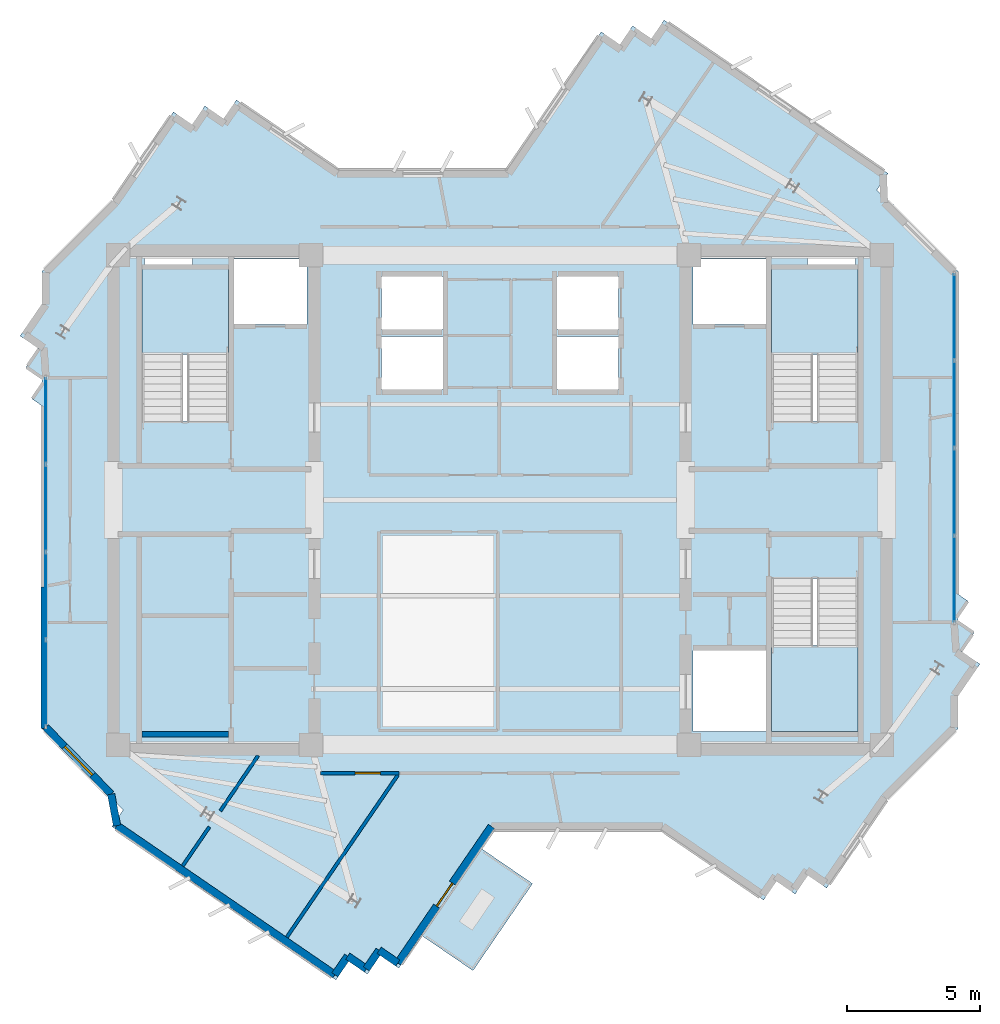
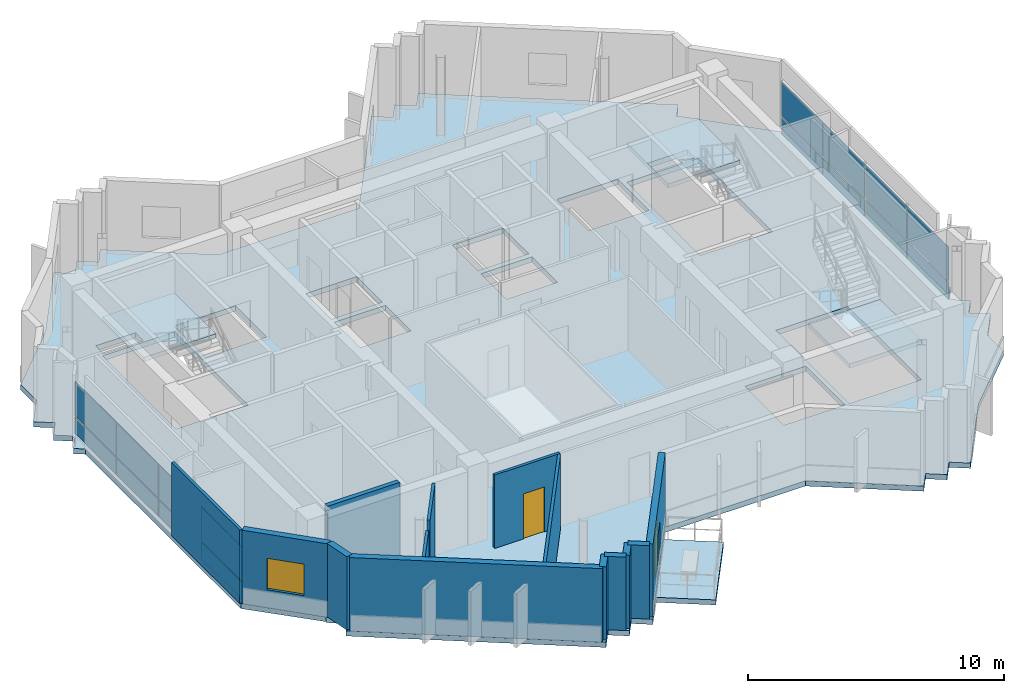
# One storey, part 4 of 11: 16 plates, 14 walls, 5 slabs, 2 doors, 1 window, 3 openings, 5 elements without a shape of their own.
"""IFC4 building model written with IfcOpenShell, lengths in metres."""

from ifc_helpers import new_model, si_unit, direction, frame, frame_2d, origin, origin_2d, place, context, subcontext, project, spatial, polyline, rectangle, outline, extrude, source, transform, mapped, material, layer, layer_set, type_object, element, fill, aggregate, save


model = new_model("IFC4")

# Units and contexts
model_context = context("Model", 3, precision=1e-05, world=origin(), true_north=direction((0.0, 1.0)))
body_context = subcontext(model_context, "Body", "Model", "MODEL_VIEW")
ifc_project = project(units=[si_unit("LENGTHUNIT", "METRE"), si_unit("AREAUNIT", "SQUARE_METRE"), si_unit("VOLUMEUNIT", "CUBIC_METRE"), si_unit("PLANEANGLEUNIT", "RADIAN"), si_unit("MASSUNIT", "GRAM", prefix="KILO")], contexts=[model_context])

# Site, building, storey
site_placement = place(None, origin())
site = spatial("IfcSite", under=ifc_project, at=site_placement, CompositionType="ELEMENT")
building_placement = place(site_placement, origin())
building = spatial("IfcBuilding", under=site, at=building_placement, Name="Zahravan Cultural Tower", CompositionType="ELEMENT")
storey_placement = place(building_placement, frame((0.0, 0.0, 334.800048828125)))
storey = spatial("IfcBuildingStorey", under=building, at=storey_placement, Name="L81", CompositionType="ELEMENT", Elevation=334.800048828125)

# Stair, slab
ifc_material_1 = material(Name="Concrete C45/55", Category="concrete")
stair_type = type_object("IfcStairType", Name="STR-DL-1550-375", PredefinedType="HALF_TURN_STAIR", material=ifc_material_1)
stair_1_placement = place(storey_placement, origin())
stair_1 = element("IfcStair", 1, at=stair_1_placement, inside=storey, type_object=stair_type, Name="L81 West Core North Exit Stair ST-W1", PredefinedType="HALF_TURN_STAIR")
ifc_layer_1 = layer(ifc_material_1, 0.199951171875)
ifc_layer_set_1 = layer_set([ifc_layer_1], Name="Concrete C45/55")
slab_type_1 = type_object("IfcSlabType", Name="SL-STAIR-LND200", PredefinedType="LANDING", material=ifc_layer_set_1)
slab_1_placement = place(storey_placement, frame((0.0, 0.0, 1.675048828125)))
slab_1 = element("IfcSlab", 2, at=slab_1_placement, type_object=slab_type_1, Name="ST-W1 landing 1", PredefinedType="LANDING", context=body_context, shape_type="SweptSolid", body=[
    extrude(outline(polyline([(25.800048828125, 32.469970703125), (25.800048828125, 35.699951171875), (22.550048828125, 35.699951171875), (22.550048828125, 32.469970703125), (25.800048828125, 32.469970703125)])), origin(), (0.0, 0.0, 1.0), 0.199951171875),
])
aggregate(stair_1, [slab_1])

stair_2_placement = place(storey_placement, origin())
stair_2 = element("IfcStair", 3, at=stair_2_placement, inside=storey, type_object=stair_type, Name="L81 East Core North Exit Stair ST-E1", PredefinedType="HALF_TURN_STAIR")
slab_2_placement = place(storey_placement, frame((0.0, 0.0, 1.675048828125)))
slab_2 = element("IfcSlab", 4, at=slab_2_placement, type_object=slab_type_1, Name="ST-E1 landing 1", PredefinedType="LANDING", context=body_context, shape_type="SweptSolid", body=[
    extrude(outline(polyline([(49.449951171875, 32.469970703125), (49.449951171875, 35.699951171875), (46.199951171875, 35.699951171875), (46.199951171875, 32.469970703125), (49.449951171875, 32.469970703125)])), origin(), (0.0, 0.0, 1.0), 0.199951171875),
])
aggregate(stair_2, [slab_2])

stair_3_placement = place(storey_placement, origin())
stair_3 = element("IfcStair", 5, at=stair_3_placement, inside=storey, type_object=stair_type, Name="L81 East Core South Exit Stair ST-E2", PredefinedType="HALF_TURN_STAIR")
slab_3_placement = place(storey_placement, frame((0.0, 0.0, 1.675048828125)))
slab_3 = element("IfcSlab", 6, at=slab_3_placement, type_object=slab_type_1, Name="ST-E2 landing 1", PredefinedType="LANDING", context=body_context, shape_type="SweptSolid", body=[
    extrude(outline(polyline([(46.199951171875, 21.530029296875), (46.199951171875, 18.300048828125), (49.449951171875, 18.300048828125), (49.449951171875, 21.530029296875), (46.199951171875, 21.530029296875)])), origin(), (0.0, 0.0, 1.0), 0.199951171875),
])
aggregate(stair_3, [slab_3])

# Slabs
ifc_material_2 = material(Name="Concrete C40/50", Category="concrete")
ifc_layer_2 = layer(ifc_material_2, 0.239990234375)
ifc_layer_set_2 = layer_set([ifc_layer_2], Name="Concrete C40/50")
slab_type_2 = type_object("IfcSlabType", Name="SL-TERR-240", PredefinedType="FLOOR", material=ifc_layer_set_2)
slab_4_placement = place(storey_placement, frame((0.0, 0.0, -0.239990234375)))
element("IfcSlab", 7, at=slab_4_placement, inside=storey, type_object=slab_type_2, Name="L81 Planted Sculpture Terrace SW", PredefinedType="FLOOR", context=body_context, shape_type="SweptSolid", body=[
    extrude(outline(polyline([(37.22216796875, 12.58935546875), (35.287109375, 13.9140625), (33.050048828125, 10.646728515625), (34.98486328125, 9.32177734375), (37.22216796875, 12.58935546875)])), origin(), (0.0, 0.0, 1.0), 0.239990234375),
])
ifc_layer_3 = layer(ifc_material_2, 0.25)
ifc_layer_set_3 = layer_set([ifc_layer_3], Name="Concrete C40/50")
slab_type_3 = type_object("IfcSlabType", Name="SL-TYP-250", PredefinedType="FLOOR", material=ifc_layer_set_3)
slab_5_placement = place(storey_placement, frame((0.0, 0.0, -0.25)))
element("IfcSlab", 8, at=slab_5_placement, inside=storey, type_object=slab_type_3, Name="L81 Structural Floor Slab", PredefinedType="FLOOR", context=body_context, shape_type="SweptSolid", body=[
    extrude(outline(polyline([(50.522216796875, 38.27783203125), (50.15478515625, 38.645263671875), (50.580810546875, 39.267822265625), (42.164794921875, 45.030517578125), (41.6845703125, 44.3291015625), (40.983154296875, 44.809326171875), (40.5029296875, 44.10791015625), (39.801513671875, 44.588134765625), (36.249267578125, 39.39990234375), (29.92626953125, 39.39990234375), (26.095458984375, 42.023193359375), (25.615234375, 41.32177734375), (24.913818359375, 41.802001953125), (24.43359375, 41.1005859375), (23.732177734375, 41.580810546875), (21.454833984375, 38.2548828125), (18.800048828125, 35.60009765625), (18.800048828125, 34.37744140625), (17.969482421875, 33.164794921875), (18.6708984375, 32.6845703125), (18.190673828125, 31.983154296875), (18.800048828125, 31.56591796875), (18.800048828125, 31.368408203125), (18.411865234375, 30.801513671875), (18.800048828125, 30.535888671875), (18.800048828125, 18.39990234375), (21.23388671875, 15.96630859375), (21.197998046875, 15.913818359375), (21.477783203125, 15.72216796875), (21.84521484375, 15.354736328125), (21.419189453125, 14.732177734375), (29.835205078125, 8.969482421875), (30.3154296875, 9.6708984375), (31.016845703125, 9.190673828125), (31.4970703125, 9.89208984375), (32.198486328125, 9.411865234375), (35.750732421875, 14.60009765625), (42.07373046875, 14.60009765625), (45.904541015625, 11.976806640625), (46.384765625, 12.67822265625), (47.086181640625, 12.197998046875), (47.56640625, 12.8994140625), (48.267822265625, 12.419189453125), (50.545166015625, 15.7451171875), (53.199951171875, 18.39990234375), (53.199951171875, 19.62255859375), (54.030517578125, 20.835205078125), (53.3291015625, 21.3154296875), (53.809326171875, 22.016845703125), (53.199951171875, 22.43408203125), (53.199951171875, 22.631591796875), (53.588134765625, 23.198486328125), (53.199951171875, 23.464111328125), (53.199951171875, 35.60009765625), (50.76611328125, 38.03369140625), (50.802001953125, 38.086181640625), (50.522216796875, 38.27783203125)]), holes=[polyline([(22.550048828125, 29.949951171875), (22.550048828125, 35.699951171875), (25.800048828125, 35.699951171875), (25.800048828125, 29.949951171875), (22.550048828125, 29.949951171875)]), polyline([(46.199951171875, 29.949951171875), (46.199951171875, 35.699951171875), (49.449951171875, 35.699951171875), (49.449951171875, 29.949951171875), (46.199951171875, 29.949951171875)]), polyline([(46.199951171875, 18.300048828125), (46.199951171875, 24.050048828125), (49.449951171875, 24.050048828125), (49.449951171875, 18.300048828125), (46.199951171875, 18.300048828125)]), polyline([(26.0, 33.60009765625), (26.0, 36.050048828125), (28.75, 36.050048828125), (28.75, 33.60009765625), (26.0, 33.60009765625)]), polyline([(43.25, 33.60009765625), (43.25, 36.050048828125), (46.0, 36.050048828125), (46.0, 33.60009765625), (43.25, 33.60009765625)]), polyline([(43.25, 18.300048828125), (43.25, 21.35009765625), (46.0, 21.35009765625), (46.0, 18.300048828125), (43.25, 18.300048828125)]), polyline([(31.550048828125, 33.39990234375), (31.550048828125, 35.39990234375), (33.85009765625, 35.39990234375), (33.85009765625, 33.39990234375), (31.550048828125, 33.39990234375)]), polyline([(31.550048828125, 31.14990234375), (31.550048828125, 33.14990234375), (33.85009765625, 33.14990234375), (33.85009765625, 31.14990234375), (31.550048828125, 31.14990234375)]), polyline([(38.14990234375, 33.39990234375), (38.14990234375, 35.39990234375), (40.449951171875, 35.39990234375), (40.449951171875, 33.39990234375), (38.14990234375, 33.39990234375)]), polyline([(38.14990234375, 31.14990234375), (38.14990234375, 33.14990234375), (40.449951171875, 33.14990234375), (40.449951171875, 31.14990234375), (38.14990234375, 31.14990234375)]), polyline([(22.64990234375, 35.800048828125), (22.64990234375, 36.419921875), (24.449951171875, 36.419921875), (24.449951171875, 35.800048828125), (22.64990234375, 35.800048828125)]), polyline([(47.550048828125, 35.800048828125), (47.550048828125, 36.419921875), (49.35009765625, 36.419921875), (49.35009765625, 35.800048828125), (47.550048828125, 35.800048828125)])]), origin(), (0.0, 0.0, 1.0), 0.25),
])

# Curtain wall, plates
ifc_material_3 = material(Name="Anodised bronze-aluminium mullion", Category="aluminium")
ifc_layer_4 = layer(ifc_material_3, 0.179931640625)
ifc_layer_set_4 = layer_set([ifc_layer_4], Name="Anodised bronze-aluminium mullion")
curtain_wall_type_1 = type_object("IfcCurtainWallType", Name="CW-SYS-3", PredefinedType="USERDEFINED", material=ifc_layer_set_4)
curtain_wall_1_placement = place(storey_placement, origin())
curtain_wall_1 = element("IfcCurtainWall", 9, at=curtain_wall_1_placement, inside=storey, type_object=curtain_wall_type_1, Name="L81 Recessed Curtain Wall CW-3.1", ObjectType="RECESSED GLAZING", PredefinedType="USERDEFINED")
ifc_material_4 = material(Name="Low-E solar-control double glazing", Category="glass")
ifc_layer_5 = layer(ifc_material_4, 0.028076171875)
ifc_layer_set_5 = layer_set([ifc_layer_5], Name="Low-E solar-control double glazing")
plate_type_1 = type_object("IfcPlateType", Name="CWP-CW-3", PredefinedType="CURTAIN_PANEL", material=ifc_layer_set_5)
shared_shape_1 = source(origin(), body_context, "Body", "SweptSolid", [
    extrude(rectangle(XDim=3.1904296875, YDim=0.028076171875, at=origin_2d()), origin(), (0.0, 0.0, 1.0), 0.794921875),
])
plate_1_placement = place(storey_placement, frame((18.93994140625, 20.123291015625, 0.070068359375), z_axis=(0.0, 0.0, 1.0), x_axis=(0.0, 1.0, 0.0)))
plate_1 = element("IfcPlate", 10, at=plate_1_placement, type_object=plate_type_1, Name="CW-3 panel 1.1", PredefinedType="CURTAIN_PANEL", context=body_context, shape_type="MappedRepresentation", body=[
    mapped(shared_shape_1, transform((0.0, 0.0, 0.0), x_axis=(1.0, 0.0, 0.0), y_axis=(0.0, 1.0, 0.0), z_axis=(0.0, 0.0, 1.0), scale=1.0)),
])
plate_2_placement = place(storey_placement, frame((18.93994140625, 29.974609375, 0.070068359375), z_axis=(0.0, 0.0, 1.0), x_axis=(0.0, 1.0, 0.0)))
plate_2 = element("IfcPlate", 11, at=plate_2_placement, type_object=plate_type_1, Name="CW-3 panel 4.1", PredefinedType="CURTAIN_PANEL", context=body_context, shape_type="MappedRepresentation", body=[
    mapped(shared_shape_1, transform((0.0, 0.0, 0.0), x_axis=(1.0, 0.0, 0.0), y_axis=(0.0, 1.0, 0.0), z_axis=(0.0, 0.0, 1.0), scale=1.0)),
])
shared_shape_2 = source(origin(), body_context, "Body", "SweptSolid", [
    extrude(rectangle(XDim=3.1904296875, YDim=0.028076171875, at=origin_2d()), origin(), (0.0, 0.0, 1.0), 1.614990234375),
])
plate_3_placement = place(storey_placement, frame((18.93994140625, 20.123291015625, 0.93505859375), z_axis=(0.0, 0.0, 1.0), x_axis=(0.0, 1.0, 0.0)))
plate_3 = element("IfcPlate", 12, at=plate_3_placement, type_object=plate_type_1, Name="CW-3 panel 1.2", PredefinedType="CURTAIN_PANEL", context=body_context, shape_type="MappedRepresentation", body=[
    mapped(shared_shape_2, transform((0.0, 0.0, 0.0), x_axis=(1.0, 0.0, 0.0), y_axis=(0.0, 1.0, 0.0), z_axis=(0.0, 0.0, 1.0), scale=1.0)),
])
plate_4_placement = place(storey_placement, frame((18.93994140625, 29.974609375, 0.93505859375), z_axis=(0.0, 0.0, 1.0), x_axis=(0.0, 1.0, 0.0)))
plate_4 = element("IfcPlate", 13, at=plate_4_placement, type_object=plate_type_1, Name="CW-3 panel 4.2", PredefinedType="CURTAIN_PANEL", context=body_context, shape_type="MappedRepresentation", body=[
    mapped(shared_shape_2, transform((0.0, 0.0, 0.0), x_axis=(1.0, 0.0, 0.0), y_axis=(0.0, 1.0, 0.0), z_axis=(0.0, 0.0, 1.0), scale=1.0)),
])
shared_shape_3 = source(origin(), body_context, "Body", "SweptSolid", [
    extrude(rectangle(XDim=3.225341796875, YDim=0.028076171875, at=origin_2d()), origin(), (0.0, 0.0, 1.0), 0.794921875),
])
plate_5_placement = place(storey_placement, frame((18.93994140625, 23.401123046875, 0.070068359375), z_axis=(0.0, 0.0, 1.0), x_axis=(0.0, 1.0, 0.0)))
plate_5 = element("IfcPlate", 14, at=plate_5_placement, type_object=plate_type_1, Name="CW-3 panel 2.1", PredefinedType="CURTAIN_PANEL", context=body_context, shape_type="MappedRepresentation", body=[
    mapped(shared_shape_3, transform((0.0, 0.0, 0.0), x_axis=(1.0, 0.0, 0.0), y_axis=(0.0, 1.0, 0.0), z_axis=(0.0, 0.0, 1.0), scale=1.0)),
])
plate_6_placement = place(storey_placement, frame((18.93994140625, 26.696533203125, 0.070068359375), z_axis=(0.0, 0.0, 1.0), x_axis=(0.0, 1.0, 0.0)))
plate_6 = element("IfcPlate", 15, at=plate_6_placement, type_object=plate_type_1, Name="CW-3 panel 3.1", PredefinedType="CURTAIN_PANEL", context=body_context, shape_type="MappedRepresentation", body=[
    mapped(shared_shape_3, transform((0.0, 0.0, 0.0), x_axis=(1.0, 0.0, 0.0), y_axis=(0.0, 1.0, 0.0), z_axis=(0.0, 0.0, 1.0), scale=1.0)),
])
shared_shape_4 = source(origin(), body_context, "Body", "SweptSolid", [
    extrude(rectangle(XDim=3.225341796875, YDim=0.028076171875, at=origin_2d()), origin(), (0.0, 0.0, 1.0), 1.614990234375),
])
plate_7_placement = place(storey_placement, frame((18.93994140625, 23.401123046875, 0.93505859375), z_axis=(0.0, 0.0, 1.0), x_axis=(0.0, 1.0, 0.0)))
plate_7 = element("IfcPlate", 16, at=plate_7_placement, type_object=plate_type_1, Name="CW-3 panel 2.2", PredefinedType="CURTAIN_PANEL", context=body_context, shape_type="MappedRepresentation", body=[
    mapped(shared_shape_4, transform((0.0, 0.0, 0.0), x_axis=(1.0, 0.0, 0.0), y_axis=(0.0, 1.0, 0.0), z_axis=(0.0, 0.0, 1.0), scale=1.0)),
])
plate_8_placement = place(storey_placement, frame((18.93994140625, 26.696533203125, 0.93505859375), z_axis=(0.0, 0.0, 1.0), x_axis=(0.0, 1.0, 0.0)))
plate_8 = element("IfcPlate", 17, at=plate_8_placement, type_object=plate_type_1, Name="CW-3 panel 3.2", PredefinedType="CURTAIN_PANEL", context=body_context, shape_type="MappedRepresentation", body=[
    mapped(shared_shape_4, transform((0.0, 0.0, 0.0), x_axis=(1.0, 0.0, 0.0), y_axis=(0.0, 1.0, 0.0), z_axis=(0.0, 0.0, 1.0), scale=1.0)),
])
aggregate(curtain_wall_1, [plate_1, plate_3, plate_5, plate_7, plate_6, plate_8, plate_2, plate_4])

ifc_layer_6 = layer(ifc_material_3, 0.1650390625)
ifc_layer_set_6 = layer_set([ifc_layer_6], Name="Anodised bronze-aluminium mullion")
curtain_wall_type_2 = type_object("IfcCurtainWallType", Name="CW-SYS-4", PredefinedType="USERDEFINED", material=ifc_layer_set_6)
curtain_wall_2_placement = place(storey_placement, origin())
curtain_wall_2 = element("IfcCurtainWall", 18, at=curtain_wall_2_placement, inside=storey, type_object=curtain_wall_type_2, Name="L81 Recessed Curtain Wall CW-4.2", ObjectType="RECESSED GLAZING", PredefinedType="USERDEFINED")
ifc_layer_7 = layer(ifc_material_4, 0.02587890625)
ifc_layer_set_7 = layer_set([ifc_layer_7], Name="Low-E solar-control double glazing")
plate_type_2 = type_object("IfcPlateType", Name="CWP-CW-4", PredefinedType="CURTAIN_PANEL", material=ifc_layer_set_7)
shared_shape_5 = source(origin(), body_context, "Body", "SweptSolid", [
    extrude(rectangle(XDim=3.197998046875, YDim=0.02587890625, at=origin_2d()), origin(), (0.0, 0.0, 1.0), 0.802490234375),
])
plate_9_placement = place(storey_placement, frame((53.06005859375, 33.8779296875, 0.06494140625), z_axis=(0.0, 0.0, 1.0), x_axis=(0.0, -1.0, 0.0)))
plate_9 = element("IfcPlate", 19, at=plate_9_placement, type_object=plate_type_2, Name="CW-4 panel 1.1", PredefinedType="CURTAIN_PANEL", context=body_context, shape_type="MappedRepresentation", body=[
    mapped(shared_shape_5, transform((0.0, 0.0, 0.0), x_axis=(1.0, 0.0, 0.0), y_axis=(0.0, 1.0, 0.0), z_axis=(0.0, 0.0, 1.0), scale=1.0)),
])
plate_10_placement = place(storey_placement, frame((53.06005859375, 24.024169921875, 0.06494140625), z_axis=(0.0, 0.0, 1.0), x_axis=(0.0, -1.0, 0.0)))
plate_10 = element("IfcPlate", 20, at=plate_10_placement, type_object=plate_type_2, Name="CW-4 panel 4.1", PredefinedType="CURTAIN_PANEL", context=body_context, shape_type="MappedRepresentation", body=[
    mapped(shared_shape_5, transform((0.0, 0.0, 0.0), x_axis=(1.0, 0.0, 0.0), y_axis=(0.0, 1.0, 0.0), z_axis=(0.0, 0.0, 1.0), scale=1.0)),
])
shared_shape_6 = source(origin(), body_context, "Body", "SweptSolid", [
    extrude(rectangle(XDim=3.197998046875, YDim=0.02587890625, at=origin_2d()), origin(), (0.0, 0.0, 1.0), 1.62255859375),
])
plate_11_placement = place(storey_placement, frame((53.06005859375, 33.8779296875, 0.932373046875), z_axis=(0.0, 0.0, 1.0), x_axis=(0.0, -1.0, 0.0)))
plate_11 = element("IfcPlate", 21, at=plate_11_placement, type_object=plate_type_2, Name="CW-4 panel 1.2", PredefinedType="CURTAIN_PANEL", context=body_context, shape_type="MappedRepresentation", body=[
    mapped(shared_shape_6, transform((0.0, 0.0, 0.0), x_axis=(1.0, 0.0, 0.0), y_axis=(0.0, 1.0, 0.0), z_axis=(0.0, 0.0, 1.0), scale=1.0)),
])
plate_12_placement = place(storey_placement, frame((53.06005859375, 24.024169921875, 0.932373046875), z_axis=(0.0, 0.0, 1.0), x_axis=(0.0, -1.0, 0.0)))
plate_12 = element("IfcPlate", 22, at=plate_12_placement, type_object=plate_type_2, Name="CW-4 panel 4.2", PredefinedType="CURTAIN_PANEL", context=body_context, shape_type="MappedRepresentation", body=[
    mapped(shared_shape_6, transform((0.0, 0.0, 0.0), x_axis=(1.0, 0.0, 0.0), y_axis=(0.0, 1.0, 0.0), z_axis=(0.0, 0.0, 1.0), scale=1.0)),
])
shared_shape_7 = source(origin(), body_context, "Body", "SweptSolid", [
    extrude(rectangle(XDim=3.23046875, YDim=0.02587890625, at=origin_2d()), origin(), (0.0, 0.0, 1.0), 0.802490234375),
])
plate_13_placement = place(storey_placement, frame((53.06005859375, 30.598876953125, 0.06494140625), z_axis=(0.0, 0.0, 1.0), x_axis=(0.0, -1.0, 0.0)))
plate_13 = element("IfcPlate", 23, at=plate_13_placement, type_object=plate_type_2, Name="CW-4 panel 2.1", PredefinedType="CURTAIN_PANEL", context=body_context, shape_type="MappedRepresentation", body=[
    mapped(shared_shape_7, transform((0.0, 0.0, 0.0), x_axis=(1.0, 0.0, 0.0), y_axis=(0.0, 1.0, 0.0), z_axis=(0.0, 0.0, 1.0), scale=1.0)),
])
plate_14_placement = place(storey_placement, frame((53.06005859375, 27.303466796875, 0.06494140625), z_axis=(0.0, 0.0, 1.0), x_axis=(0.0, -1.0, 0.0)))
plate_14 = element("IfcPlate", 24, at=plate_14_placement, type_object=plate_type_2, Name="CW-4 panel 3.1", PredefinedType="CURTAIN_PANEL", context=body_context, shape_type="MappedRepresentation", body=[
    mapped(shared_shape_7, transform((0.0, 0.0, 0.0), x_axis=(1.0, 0.0, 0.0), y_axis=(0.0, 1.0, 0.0), z_axis=(0.0, 0.0, 1.0), scale=1.0)),
])
shared_shape_8 = source(origin(), body_context, "Body", "SweptSolid", [
    extrude(rectangle(XDim=3.23046875, YDim=0.02587890625, at=origin_2d()), origin(), (0.0, 0.0, 1.0), 1.62255859375),
])
plate_15_placement = place(storey_placement, frame((53.06005859375, 30.598876953125, 0.932373046875), z_axis=(0.0, 0.0, 1.0), x_axis=(0.0, -1.0, 0.0)))
plate_15 = element("IfcPlate", 25, at=plate_15_placement, type_object=plate_type_2, Name="CW-4 panel 2.2", PredefinedType="CURTAIN_PANEL", context=body_context, shape_type="MappedRepresentation", body=[
    mapped(shared_shape_8, transform((0.0, 0.0, 0.0), x_axis=(1.0, 0.0, 0.0), y_axis=(0.0, 1.0, 0.0), z_axis=(0.0, 0.0, 1.0), scale=1.0)),
])
plate_16_placement = place(storey_placement, frame((53.06005859375, 27.303466796875, 0.932373046875), z_axis=(0.0, 0.0, 1.0), x_axis=(0.0, -1.0, 0.0)))
plate_16 = element("IfcPlate", 26, at=plate_16_placement, type_object=plate_type_2, Name="CW-4 panel 3.2", PredefinedType="CURTAIN_PANEL", context=body_context, shape_type="MappedRepresentation", body=[
    mapped(shared_shape_8, transform((0.0, 0.0, 0.0), x_axis=(1.0, 0.0, 0.0), y_axis=(0.0, 1.0, 0.0), z_axis=(0.0, 0.0, 1.0), scale=1.0)),
])
aggregate(curtain_wall_2, [plate_9, plate_11, plate_13, plate_15, plate_14, plate_16, plate_10, plate_12])

# Wall, opening, window
ifc_material_5 = material(Name="Precast concrete C40/50", Category="concrete")
ifc_layer_8 = layer(ifc_material_5, 0.280029296875)
ifc_layer_set_8 = layer_set([ifc_layer_8], Name="Precast concrete C40/50")
wall_type_1 = type_object("IfcWallType", Name="EW-TC-280", PredefinedType="SOLIDWALL", material=ifc_layer_set_8)
wall_1_placement = place(storey_placement, frame((21.392578125, 15.9501953125, 0.0), z_axis=(0.0, 0.0, 1.0), x_axis=(-0.699198279454, 0.714927804753, 0.0)))
wall_1 = element("IfcWall", 27, at=wall_1_placement, inside=storey, type_object=wall_type_1, Name="L81 Exterior Masonry Frame Wall 01", PredefinedType="SOLIDWALL", context=body_context, shape_type="SweptSolid", body=[
    extrude(rectangle(XDim=3.5078125, YDim=0.280029296875, at=frame_2d((1.75390625, 0.0))), origin(), (0.0, 0.0, 1.0), 3.5),
])
opening_1_placement = place(wall_1_placement, frame((1.00390625, 0.0, 0.85009765625)))
opening_1 = element("IfcOpeningElement", 28, at=opening_1_placement, cuts=wall_1, Name="Opening WN-03", PredefinedType="OPENING", context=body_context, shape_type="SweptSolid", body=[
    extrude(rectangle(XDim=1.5, YDim=1.5, at=frame_2d((0.75, 0.75))), frame((0.0, 0.14990234375, 0.0), z_axis=(0.0, -1.0, 0.0), x_axis=(1.0, 0.0, 0.0)), (0.0, 0.0, 1.0), 0.300048828125),
])
window_type = type_object("IfcWindowType", Name="WN-REC-1500X1500", PartitioningType="SINGLE_PANEL", PredefinedType="WINDOW", material=ifc_material_4)
shared_shape_9 = source(origin(), body_context, "Body", "SweptSolid", [
    extrude(rectangle(XDim=1.5, YDim=1.5, at=frame_2d((0.75, 0.75))), frame((0.0, 0.030029296875, 0.0), z_axis=(0.0, -1.0, 0.0), x_axis=(1.0, 0.0, 0.0)), (0.0, 0.0, 1.0), 0.06005859375),
])
window_placement = place(opening_1_placement, origin())
window = element("IfcWindow", 29, at=window_placement, inside=storey, type_object=window_type, Name="L81 Recessed Solar Window 01", OverallHeight=1.5, OverallWidth=1.5, PartitioningType="SINGLE_PANEL", PredefinedType="WINDOW", context=body_context, shape_type="MappedRepresentation", body=[
    mapped(shared_shape_9, transform((0.0, 0.0, 0.0), x_axis=(1.0, 0.0, 0.0), y_axis=(0.0, 1.0, 0.0), z_axis=(0.0, 0.0, 1.0), scale=1.0)),
])
fill(opening_1, window)

# Wall, opening, door
wall_2_placement = place(storey_placement, frame((35.677001953125, 14.739990234375, 0.0), z_axis=(0.0, 0.0, 1.0), x_axis=(-0.564953982519, -0.825122413728, 0.0)))
wall_2 = element("IfcWall", 30, at=wall_2_placement, inside=storey, type_object=wall_type_1, Name="L81 Exterior Masonry Frame Wall 34", PredefinedType="SOLIDWALL", context=body_context, shape_type="SweptSolid", body=[
    extrude(rectangle(XDim=6.221435546875, YDim=0.280029296875, at=frame_2d((3.11083984375, 0.0))), origin(), (0.0, 0.0, 1.0), 3.5),
])
opening_2_placement = place(wall_2_placement, frame((2.5859375, 0.0, 0.0)))
opening_2 = element("IfcOpeningElement", 31, at=opening_2_placement, cuts=wall_2, Name="Opening D-L81-TR-SW", PredefinedType="OPENING", context=body_context, shape_type="SweptSolid", body=[
    extrude(rectangle(XDim=1.050048828125, YDim=2.14990234375, at=frame_2d((0.52490234375, 1.074951171875))), frame((0.0, 0.14990234375, 0.0), z_axis=(0.0, -1.0, 0.0), x_axis=(1.0, 0.0, 0.0)), (0.0, 0.0, 1.0), 0.300048828125),
])
door_type_1 = type_object("IfcDoorType", Name="DR-TERR-1050", OperationType="NOTDEFINED", PredefinedType="DOOR", material=ifc_material_3)
shared_shape_10 = source(origin(), body_context, "Body", "SweptSolid", [
    extrude(rectangle(XDim=1.050048828125, YDim=2.14990234375, at=frame_2d((0.52490234375, 1.074951171875))), frame((0.0, 0.02490234375, 0.0), z_axis=(0.0, -1.0, 0.0), x_axis=(1.0, 0.0, 0.0)), (0.0, 0.0, 1.0), 0.050048828125),
])
door_1_placement = place(opening_2_placement, origin())
door_1 = element("IfcDoor", 32, at=door_1_placement, inside=storey, type_object=door_type_1, Name="L81 Terrace Access Door SW", OperationType="SINGLE_SWING_RIGHT", OverallHeight=2.14990234375, OverallWidth=1.050048828125, PredefinedType="DOOR", context=body_context, shape_type="MappedRepresentation", body=[
    mapped(shared_shape_10, transform((0.0, 0.0, 0.0), x_axis=(1.0, 0.0, 0.0), y_axis=(0.0, 1.0, 0.0), z_axis=(0.0, 0.0, 1.0), scale=1.0)),
])
fill(opening_2, door_1)

ifc_material_6 = material(Name="Gypsum plasterboard partition")
ifc_layer_9 = layer(ifc_material_6, 0.125)
ifc_layer_set_9 = layer_set([ifc_layer_9], Name="Gypsum plasterboard partition")
wall_type_2 = type_object("IfcWallType", Name="W-PART-125", PredefinedType="PARTITIONING", material=ifc_layer_set_9)
wall_3_placement = place(storey_placement, frame((29.257568359375, 16.740234375, 0.0), z_axis=(0.0, 0.0, 1.0), x_axis=(0.999999996583, -8.2671957e-05, 0.0)))
wall_3 = element("IfcWall", 33, at=wall_3_placement, inside=storey, type_object=wall_type_2, Name="L81 Interior Wall 081", PredefinedType="PARTITIONING", context=body_context, shape_type="SweptSolid", body=[
    extrude(rectangle(XDim=2.953125, YDim=0.125, at=frame_2d((1.4765625, 0.0))), origin(), (0.0, 0.0, 1.0), 3.5),
])
opening_3_placement = place(wall_3_placement, frame((1.302001953125, 0.0, 0.0)))
opening_3 = element("IfcOpeningElement", 34, at=opening_3_placement, cuts=wall_3, Name="Opening D-L81-26", PredefinedType="OPENING", context=body_context, shape_type="SweptSolid", body=[
    extrude(rectangle(XDim=0.949951171875, YDim=2.14990234375, at=frame_2d((0.47509765625, 1.074951171875))), frame((0.0, 0.072509765625, 0.0), z_axis=(0.0, -1.0, 0.0), x_axis=(1.0, 0.0, 0.0)), (0.0, 0.0, 1.0), 0.14501953125),
])
door_type_2 = type_object("IfcDoorType", Name="DR-ROOM-950", OperationType="NOTDEFINED", PredefinedType="DOOR", material=ifc_material_3)
shared_shape_11 = source(origin(), body_context, "Body", "SweptSolid", [
    extrude(rectangle(XDim=0.949951171875, YDim=2.14990234375, at=frame_2d((0.47509765625, 1.074951171875))), frame((0.0, 0.02490234375, 0.0), z_axis=(0.0, -1.0, 0.0), x_axis=(1.0, 0.0, 0.0)), (0.0, 0.0, 1.0), 0.050048828125),
])
door_2_placement = place(opening_3_placement, origin())
door_2 = element("IfcDoor", 35, at=door_2_placement, inside=storey, type_object=door_type_2, Name="L81 Door D-L81-26", OperationType="SINGLE_SWING_LEFT", OverallHeight=2.14990234375, OverallWidth=0.949951171875, PredefinedType="DOOR", context=body_context, shape_type="MappedRepresentation", body=[
    mapped(shared_shape_11, transform((0.0, 0.0, 0.0), x_axis=(1.0, 0.0, 0.0), y_axis=(0.0, 1.0, 0.0), z_axis=(0.0, 0.0, 1.0), scale=1.0)),
])
fill(opening_3, door_2)

# Walls
shared_shape_12 = source(origin(), body_context, "Body", "SweptSolid", [
    extrude(rectangle(XDim=0.85009765625, YDim=0.280029296875, at=frame_2d((0.425048828125, 0.0))), origin(), (0.0, 0.0, 1.0), 3.5),
])
for number, where, z_axis, x_axis, name in (
    (36, (32.162109375, 9.6064453125, 0.0), (0.0, 0.0, 1.0), (-0.825138153006, 0.564930994418, 0.0), "L81 Exterior Masonry Frame Wall 35"),
    (37, (31.460693359375, 10.086669921875, 0.0), (0.0, 0.0, 1.0), (-0.564930994418, -0.825138153006, 0.0), "L81 Exterior Masonry Frame Wall 36"),
    (38, (30.98046875, 9.38525390625, 0.0), (0.0, 0.0, 1.0), (-0.825138153006, 0.564930994418, 0.0), "L81 Exterior Masonry Frame Wall 37"),
):
    element("IfcWall", number, at=place(storey_placement, frame(where, z_axis=z_axis, x_axis=x_axis)), inside=storey, type_object=wall_type_1, Name=name, PredefinedType="SOLIDWALL", context=body_context, shape_type="MappedRepresentation", body=[
        mapped(shared_shape_12, transform((0.0, 0.0, 0.0), x_axis=(1.0, 0.0, 0.0), y_axis=(0.0, 1.0, 0.0), z_axis=(0.0, 0.0, 1.0), scale=1.0)),
    ])
shared_shape_13 = source(origin(), body_context, "Body", "SweptSolid", [
    extrude(rectangle(XDim=0.849853515625, YDim=0.280029296875, at=frame_2d((0.4248046875, 0.0))), origin(), (0.0, 0.0, 1.0), 3.5),
])
wall_4_placement = place(storey_placement, frame((30.279052734375, 9.865478515625, 0.0), z_axis=(0.0, 0.0, 1.0), x_axis=(-0.565064897913, -0.825046459993, 0.0)))
element("IfcWall", 39, at=wall_4_placement, inside=storey, type_object=wall_type_1, Name="L81 Exterior Masonry Frame Wall 38", PredefinedType="SOLIDWALL", context=body_context, shape_type="MappedRepresentation", body=[
    mapped(shared_shape_13, transform((0.0, 0.0, 0.0), x_axis=(1.0, 0.0, 0.0), y_axis=(0.0, 1.0, 0.0), z_axis=(0.0, 0.0, 1.0), scale=1.0)),
])
shared_shape_14 = source(origin(), body_context, "Body", "SweptSolid", [
    extrude(rectangle(XDim=9.919921875, YDim=0.280029296875, at=frame_2d((4.9599609375, 0.0))), origin(), (0.0, 0.0, 1.0), 3.5),
])
wall_5_placement = place(storey_placement, frame((29.798828125, 9.164306640625, 0.0), z_axis=(0.0, 0.0, 1.0), x_axis=(-0.825121888295, 0.56495474992, 0.0)))
element("IfcWall", 40, at=wall_5_placement, inside=storey, type_object=wall_type_1, Name="L81 Exterior Masonry Frame Wall 39", PredefinedType="SOLIDWALL", context=body_context, shape_type="MappedRepresentation", body=[
    mapped(shared_shape_14, transform((0.0, 0.0, 0.0), x_axis=(1.0, 0.0, 0.0), y_axis=(0.0, 1.0, 0.0), z_axis=(0.0, 0.0, 1.0), scale=1.0)),
])
shared_shape_15 = source(origin(), body_context, "Body", "SweptSolid", [
    extrude(rectangle(XDim=1.2021484375, YDim=0.280029296875, at=frame_2d((0.60107421875, 0.0))), origin(), (0.0, 0.0, 1.0), 3.5),
])
wall_6_placement = place(storey_placement, frame((21.61376953125, 14.7685546875, 0.0), z_axis=(0.0, 0.0, 1.0), x_axis=(-0.183994246351, 0.982927320462, 0.0)))
element("IfcWall", 41, at=wall_6_placement, inside=storey, type_object=wall_type_1, Name="L81 Exterior Masonry Frame Wall 40", PredefinedType="SOLIDWALL", context=body_context, shape_type="MappedRepresentation", body=[
    mapped(shared_shape_15, transform((0.0, 0.0, 0.0), x_axis=(1.0, 0.0, 0.0), y_axis=(0.0, 1.0, 0.0), z_axis=(0.0, 0.0, 1.0), scale=1.0)),
])
ifc_layer_10 = layer(ifc_material_1, 0.199951171875)
ifc_layer_set_10 = layer_set([ifc_layer_10], Name="Concrete C45/55")
wall_type_3 = type_object("IfcWallType", Name="W-SHAFT-200", PredefinedType="SOLIDWALL", material=ifc_layer_set_10)
shared_shape_16 = source(origin(), body_context, "Body", "SweptSolid", [
    extrude(rectangle(XDim=3.25, YDim=0.199951171875, at=frame_2d((1.625, 0.0))), origin(), (0.0, 0.0, 1.0), 3.5),
])
wall_7_placement = place(storey_placement, frame((22.550048828125, 18.199951171875, 0.0), z_axis=(0.0, 0.0, 1.0), x_axis=(1.0, 0.0, 0.0)))
element("IfcWall", 42, at=wall_7_placement, inside=storey, type_object=wall_type_3, Name="L81 Interior Wall 019", PredefinedType="SOLIDWALL", context=body_context, shape_type="MappedRepresentation", body=[
    mapped(shared_shape_16, transform((0.0, 0.0, 0.0), x_axis=(1.0, 0.0, 0.0), y_axis=(0.0, 1.0, 0.0), z_axis=(0.0, 0.0, 1.0), scale=1.0)),
])
shared_shape_17 = source(origin(), body_context, "Body", "SweptSolid", [
    extrude(rectangle(XDim=2.5107421875, YDim=0.125, at=frame_2d((1.25537109375, 0.0))), origin(), (0.0, 0.0, 1.0), 3.5),
])
wall_8_placement = place(storey_placement, frame((26.91455078125, 17.39501953125, 0.0), z_axis=(0.0, 0.0, 1.0), x_axis=(-0.564980194272, -0.825104466162, 0.0)))
element("IfcWall", 43, at=wall_8_placement, inside=storey, type_object=wall_type_2, Name="L81 Interior Wall 071", PredefinedType="PARTITIONING", context=body_context, shape_type="MappedRepresentation", body=[
    mapped(shared_shape_17, transform((0.0, 0.0, 0.0), x_axis=(1.0, 0.0, 0.0), y_axis=(0.0, 1.0, 0.0), z_axis=(0.0, 0.0, 1.0), scale=1.0)),
])
shared_shape_18 = source(origin(), body_context, "Body", "SweptSolid", [
    extrude(rectangle(XDim=1.775146484375, YDim=0.125, at=frame_2d((0.8876953125, 0.0))), origin(), (0.0, 0.0, 1.0), 3.5),
])
wall_9_placement = place(storey_placement, frame((25.083251953125, 14.72021484375, 0.0), z_axis=(0.0, 0.0, 1.0), x_axis=(-0.56509798207, -0.825023800057, 0.0)))
element("IfcWall", 44, at=wall_9_placement, inside=storey, type_object=wall_type_2, Name="L81 Interior Wall 072", PredefinedType="PARTITIONING", context=body_context, shape_type="MappedRepresentation", body=[
    mapped(shared_shape_18, transform((0.0, 0.0, 0.0), x_axis=(1.0, 0.0, 0.0), y_axis=(0.0, 1.0, 0.0), z_axis=(0.0, 0.0, 1.0), scale=1.0)),
])
shared_shape_19 = source(origin(), body_context, "Body", "SweptSolid", [
    extrude(rectangle(XDim=5.33203125, YDim=0.125, at=frame_2d((2.666015625, 0.0))), origin(), (0.0, 0.0, 1.0), 3.5),
])
wall_10_placement = place(storey_placement, frame((18.820068359375, 18.408203125, 0.0), z_axis=(0.0, 0.0, 1.0), x_axis=(0.0, 1.0, 0.0)))
element("IfcWall", 45, at=wall_10_placement, inside=storey, type_object=wall_type_2, Name="L81 Interior Wall 073", PredefinedType="PARTITIONING", context=body_context, shape_type="MappedRepresentation", body=[
    mapped(shared_shape_19, transform((0.0, 0.0, 0.0), x_axis=(1.0, 0.0, 0.0), y_axis=(0.0, 1.0, 0.0), z_axis=(0.0, 0.0, 1.0), scale=1.0)),
])
shared_shape_20 = source(origin(), body_context, "Body", "SweptSolid", [
    extrude(rectangle(XDim=7.386962890625, YDim=0.125, at=frame_2d((3.693359375, 0.0))), origin(), (0.0, 0.0, 1.0), 3.5),
])
wall_11_placement = place(storey_placement, frame((32.16455078125, 16.672607421875, 0.0), z_axis=(0.0, 0.0, 1.0), x_axis=(-0.564969427755, -0.8251118383, 0.0)))
element("IfcWall", 46, at=wall_11_placement, inside=storey, type_object=wall_type_2, Name="L81 Interior Wall 082", PredefinedType="PARTITIONING", context=body_context, shape_type="MappedRepresentation", body=[
    mapped(shared_shape_20, transform((0.0, 0.0, 0.0), x_axis=(1.0, 0.0, 0.0), y_axis=(0.0, 1.0, 0.0), z_axis=(0.0, 0.0, 1.0), scale=1.0)),
])

save(model, "model.ifc")
